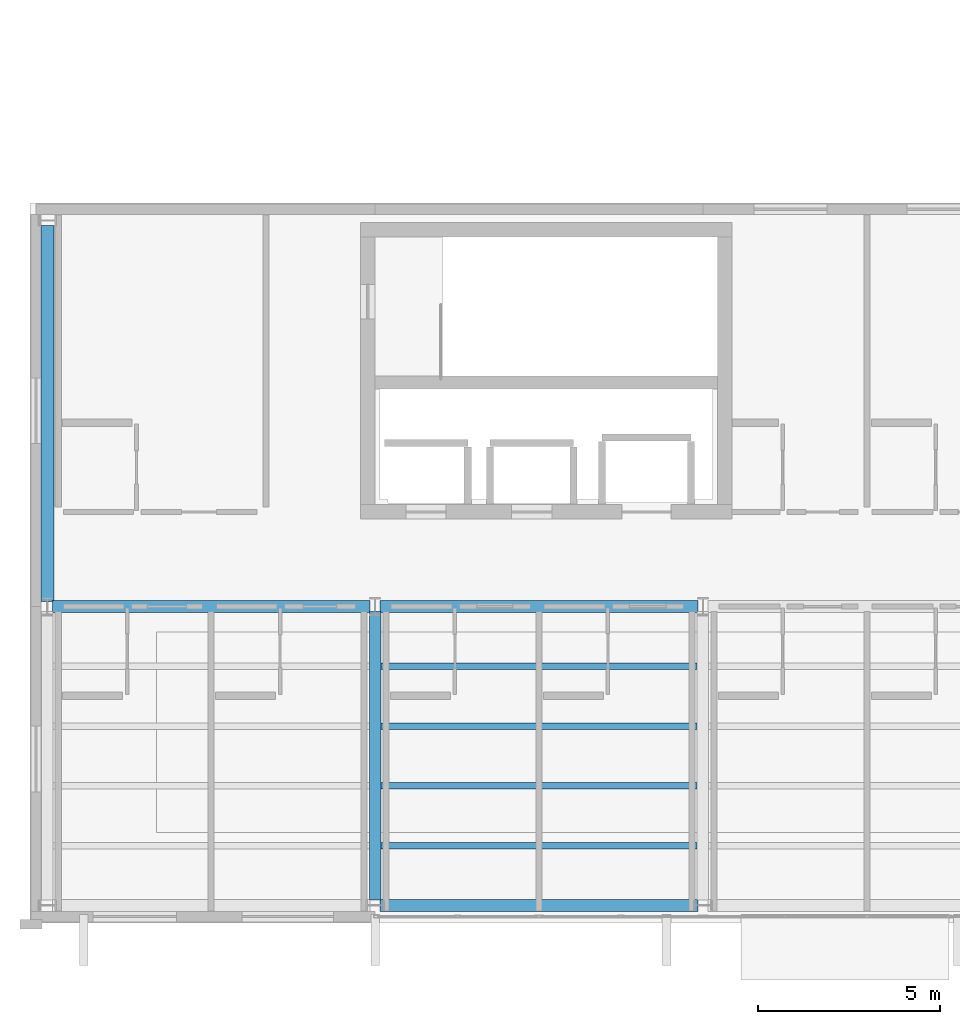
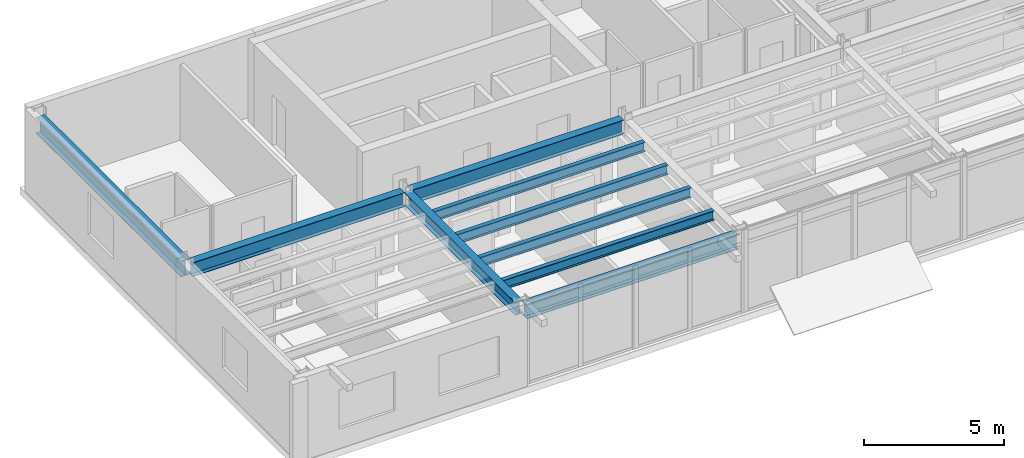
# One storey, part 5 of 19: 9 beams.
"""IFC4 building model written with IfcOpenShell, lengths in metres."""

import ifcopenshell
import ifcopenshell.guid

model = None  # the IFC model being written
_history = None  # IfcOwnerHistory: only IFC2X3 demands one
_inside = {}  # id of a spatial element -> (the spatial element, [elements in it])
_under = {}  # id of a project, library or spatial element -> (it, [spatial elements below it])
_declared = {}  # id of a project -> (the project, [libraries it declares])
_typed = {}  # id of a type object -> (the type object, [elements of that type])
_made_of = {}  # id of a material, layer set ... -> (it, [elements and type objects made of it])


def new_model(schema):
    """Start an empty IFC model of exactly this schema.

    Asked for "IFC4X3", IfcOpenShell would pick the latest addendum, in which some entities
    have other attributes; the version numbers below select the first issue.
    IFC2X3 requires an IfcOwnerHistory on every rooted entity: one is made here for all.
    """
    global model, _history
    if schema == "IFC4X3":
        model = ifcopenshell.file(schema_version=(4, 3, 0, 0))
    else:
        model = ifcopenshell.file(schema=schema)
    _inside.clear()
    _under.clear()
    _declared.clear()
    _typed.clear()
    _made_of.clear()
    _history = None
    if model.schema == "IFC2X3":
        org = make("IfcOrganization", Name="unknown")
        user = make(
            "IfcPersonAndOrganization",
            ThePerson=make("IfcPerson", FamilyName="unknown"),
            TheOrganization=org,
        )
        app = make(
            "IfcApplication",
            ApplicationDeveloper=org,
            Version="unknown",
            ApplicationFullName="unknown",
            ApplicationIdentifier="unknown",
        )
        _history = make(
            "IfcOwnerHistory",
            OwningUser=user,
            OwningApplication=app,
            ChangeAction="ADDED",
            CreationDate=0,
        )
    return model


def make(cls, **values):
    """One entity of the class cls with the attributes given. An attribute that is None is left unset."""
    return model.create_entity(
        cls, **{name: value for name, value in values.items() if value is not None}
    )


def rooted(cls, **values):
    """An entity with a GlobalId (a new one), such as an element, a storey or a relation."""
    return make(cls, GlobalId=ifcopenshell.guid.new(), OwnerHistory=_history, **values)


def si_unit(unit_type, name, prefix=None):
    """IfcSIUnit, for example si_unit("LENGTHUNIT", "METRE", prefix="MILLI")."""
    return make("IfcSIUnit", UnitType=unit_type, Prefix=prefix, Name=name)


def assignment(units):
    """IfcUnitAssignment: the units of a project."""
    return None if units is None else make("IfcUnitAssignment", Units=units)


def point(xyz):
    """IfcCartesianPoint."""
    return None if xyz is None else make("IfcCartesianPoint", Coordinates=xyz)


def direction(xyz):
    """IfcDirection."""
    return None if xyz is None else make("IfcDirection", DirectionRatios=xyz)


def frame(location, z_axis=None, x_axis=None):
    """IfcAxis2Placement3D, a coordinate frame: its origin and axes. An axis left out is left unset."""
    return make(
        "IfcAxis2Placement3D",
        Location=point(location),
        Axis=direction(z_axis),
        RefDirection=direction(x_axis),
    )


def frame_2d(location, x_axis=None):
    """IfcAxis2Placement2D, a coordinate frame in the plane: its origin and x axis."""
    return make(
        "IfcAxis2Placement2D", Location=point(location), RefDirection=direction(x_axis)
    )


def origin():
    """The frame at (0, 0, 0) with its axes left unset."""
    return frame((0.0, 0.0, 0.0))


def origin_2d():
    """The frame at (0, 0) in the plane with its x axis left unset."""
    return frame_2d((0.0, 0.0))


def place(relative_to, where):
    """IfcLocalPlacement: puts the frame where relative to a parent placement (None: the world)."""
    return make(
        "IfcLocalPlacement", PlacementRelTo=relative_to, RelativePlacement=where
    )


def context(
    kind, dimensions, precision=None, world=None, true_north=None, identifier=None
):
    """IfcGeometricRepresentationContext, for example the 3D "Model" context."""
    return make(
        "IfcGeometricRepresentationContext",
        ContextIdentifier=identifier,
        ContextType=kind,
        CoordinateSpaceDimension=dimensions,
        Precision=precision,
        WorldCoordinateSystem=world,
        TrueNorth=true_north,
    )


def subcontext(parent, identifier, kind, view, scale=None):
    """IfcGeometricRepresentationSubContext, for example "Body" below "Model"."""
    return make(
        "IfcGeometricRepresentationSubContext",
        ContextIdentifier=identifier,
        ContextType=kind,
        ParentContext=parent,
        TargetScale=scale,
        TargetView=view,
    )


def project(units=None, contexts=None):
    """IfcProject with its units and contexts."""
    return rooted(
        "IfcProject",
        Name="project",
        RepresentationContexts=contexts,
        UnitsInContext=assignment(units),
    )


def spatial(cls, under=None, at=None, **own):
    """A site, building, storey or space (cls), placed at a placement, below another one or the project."""
    s = rooted(cls, ObjectPlacement=at, **own)
    if under is not None:
        _under.setdefault(under.id(), (under, []))[1].append(s)
    return s


def profile(cls, at=None, kind="AREA", **sizes):
    """A parametric profile (cls). Its sizes go by their IFC names, for example OverallWidth=200.0."""
    return make(cls, ProfileType=kind, Position=at, **sizes)


def i_section(**sizes):
    """IfcIShapeProfileDef."""
    return profile("IfcIShapeProfileDef", **sizes)


def extrude(swept, where, along, depth):
    """IfcExtrudedAreaSolid: the profile swept, set in the frame where, extruded along a direction by depth."""
    return make(
        "IfcExtrudedAreaSolid",
        SweptArea=swept,
        Position=where,
        ExtrudedDirection=direction(along),
        Depth=depth,
    )


def shape(context_of_items, identifier, shape_type, items):
    """IfcShapeRepresentation: the items that make up one representation, for example the "Body"."""
    return make(
        "IfcShapeRepresentation",
        ContextOfItems=context_of_items,
        RepresentationIdentifier=identifier,
        RepresentationType=shape_type,
        Items=items,
    )


def material(Name=None, Category=None):
    """IfcMaterial."""
    return make("IfcMaterial", Name=Name, Category=Category)


def material_profile(
    of_material, cross_section, Name=None, Category=None, Priority=None
):
    """IfcMaterialProfile: a cross section and its material."""
    return make(
        "IfcMaterialProfile",
        Name=Name,
        Material=of_material,
        Profile=cross_section,
        Priority=Priority,
        Category=Category,
    )


def profile_set(profiles, Name=None, composite=None):
    """IfcMaterialProfileSet."""
    return make(
        "IfcMaterialProfileSet",
        Name=Name,
        MaterialProfiles=profiles,
        CompositeProfile=composite,
    )


def made_of(thing, what):
    """Note that an element or type object is made of a material, layer set ...; save() writes the relation."""
    if what is not None:
        _made_of.setdefault(what.id(), (what, []))[1].append(thing)
    return thing


def type_object(cls, material=None, **own):
    """A type object (cls), such as IfcWallType, which elements share."""
    return made_of(rooted(cls, **own), material)


def element(
    cls,
    number,
    at=None,
    inside=None,
    cuts=None,
    type_object=None,
    material=None,
    context=None,
    identifier="Body",
    shape_type=None,
    held_by="IfcProductDefinitionShape",
    body=None,
    shapes=None,
    **own,
):
    """One element of the class cls, such as IfcWall. Its Tag is "e" and its number.

    at: its placement. inside: the storey or other place that contains it. cuts: it is an
    opening in that element (IfcRelVoidsElement). A single representation is given by context,
    identifier, shape_type and body (its items); several are given by shapes. held_by: the class
    of the entity that holds the representations. save() writes the other relations.
    """
    e = rooted(cls, Tag="e%d" % number, ObjectPlacement=at, **own)
    if body is not None:
        shapes = [shape(context, identifier, shape_type, body)]
    if shapes is not None:
        e.Representation = make(held_by, Representations=shapes)
    if inside is not None:
        _inside.setdefault(inside.id(), (inside, []))[1].append(e)
    if cuts is not None:
        rooted(
            "IfcRelVoidsElement", RelatingBuildingElement=cuts, RelatedOpeningElement=e
        )
    if type_object is not None:
        _typed.setdefault(type_object.id(), (type_object, []))[1].append(e)
    return made_of(e, material)


def aggregate(whole, parts):
    """IfcRelAggregates: a whole, such as a stair, and the parts it consists of."""
    return rooted("IfcRelAggregates", RelatingObject=whole, RelatedObjects=parts)


def save(model, path):
    """Write the relations noted so far, then the file.

    IfcRelAggregates (storeys below a building ...), IfcRelContainedInSpatialStructure (elements
    in a storey), IfcRelDefinesByType, IfcRelAssociatesMaterial and IfcRelDeclares: one each for
    every whole, place, type object, material and project.
    """
    for whole, parts in _under.values():
        aggregate(whole, parts)
    for where, things in _inside.values():
        rooted(
            "IfcRelContainedInSpatialStructure",
            RelatedElements=things,
            RelatingStructure=where,
        )
    for kind, things in _typed.values():
        rooted("IfcRelDefinesByType", RelatedObjects=things, RelatingType=kind)
    for what, things in _made_of.values():
        rooted("IfcRelAssociatesMaterial", RelatedObjects=things, RelatingMaterial=what)
    for by, libraries in _declared.values():
        rooted("IfcRelDeclares", RelatingContext=by, RelatedDefinitions=libraries)
    model.write(path)


model = new_model("IFC4")

# Units and contexts
model_context = context("Model", 3, precision=1e-05, world=origin(), true_north=direction((0.0, 1.0)))
body_context = subcontext(model_context, "Body", "Model", "MODEL_VIEW")
ifc_project = project(units=[si_unit("LENGTHUNIT", "METRE"), si_unit("AREAUNIT", "SQUARE_METRE"), si_unit("VOLUMEUNIT", "CUBIC_METRE"), si_unit("PLANEANGLEUNIT", "RADIAN"), si_unit("MASSUNIT", "GRAM", prefix="KILO")], contexts=[model_context])

# Site, building, storey
site_placement = place(None, origin())
site = spatial("IfcSite", under=ifc_project, at=site_placement, CompositionType="ELEMENT")
building_placement = place(site_placement, origin())
building = spatial("IfcBuilding", under=site, at=building_placement, Name="Sollismere Congress Hotel", CompositionType="ELEMENT")
storey_placement = place(building_placement, frame((0.0, 0.0, 44.60009765625)))
storey = spatial("IfcBuildingStorey", under=building, at=storey_placement, Name="L11", CompositionType="ELEMENT", Elevation=44.60009765625)

# Beams
ifc_material = material(Name="Steel ASTM A992 Grade 50", Category="steel")
ifc_material_profile_1 = material_profile(ifc_material, i_section(OverallWidth=0.31494140625, OverallDepth=0.551025390625, WebThickness=0.01513671875, FlangeThickness=0.0244140625, at=origin_2d()), Name="W21X122")
ifc_profile_set_1 = profile_set([ifc_material_profile_1], Name="Steel ASTM A992 Grade 50")
beam_type_1 = type_object("IfcBeamType", Name="BM-G21H", PredefinedType="BEAM", material=ifc_profile_set_1)
beam_1_placement = place(storey_placement, frame((94.0, 0.139892578125, 3.04931640625), z_axis=(0.0, 1.0, 0.0), x_axis=(-1.0, 0.0, 0.0)))
element("IfcBeam", 1, at=beam_1_placement, inside=storey, type_object=beam_type_1, Name="Beam BM-L11-3764", PredefinedType="BEAM", context=body_context, shape_type="SweptSolid", body=[
    extrude(i_section(OverallWidth=0.31494140625, OverallDepth=0.551025390625, WebThickness=0.01513671875, FlangeThickness=0.0244140625, at=origin_2d()), origin(), (0.0, 0.0, 1.0), 7.920166015625),
])
ifc_material_profile_2 = material_profile(ifc_material, i_section(OverallWidth=0.324951171875, OverallDepth=0.612060546875, WebThickness=0.0126953125, FlangeThickness=0.01904296875, at=origin_2d()), Name="W24X104")
ifc_profile_set_2 = profile_set([ifc_material_profile_2], Name="Steel ASTM A992 Grade 50")
beam_type_2 = type_object("IfcBeamType", Name="BM-G24", PredefinedType="BEAM", material=ifc_profile_set_2)
for number, where, z_axis, x_axis, name in (
    (2, (85.139892578125, 8.199951171875, 3.018798828125), (1.0, 0.0, 0.0), (0.0, 1.0, 0.0), "Beam BM-L11-3748"),
    (3, (94.139892578125, 8.199951171875, 3.018798828125), (1.0, 0.0, 0.0), (0.0, 1.0, 0.0), "Beam BM-L11-3749"),
):
    element("IfcBeam", number, at=place(storey_placement, frame(where, z_axis=z_axis, x_axis=x_axis)), inside=storey, type_object=beam_type_2, Name=name, PredefinedType="BEAM", context=body_context, shape_type="SweptSolid", body=[
        extrude(i_section(OverallWidth=0.324951171875, OverallDepth=0.612060546875, WebThickness=0.0126953125, FlangeThickness=0.01904296875, at=origin_2d()), origin(), (0.0, 0.0, 1.0), 8.72021484375),
    ])
ifc_material_profile_3 = material_profile(ifc_material, i_section(OverallWidth=0.35595703125, OverallDepth=0.696044921875, WebThickness=0.015380859375, FlangeThickness=0.025146484375, at=origin_2d()), Name="W27X146")
ifc_profile_set_3 = profile_set([ifc_material_profile_3], Name="Steel ASTM A992 Grade 50")
beam_type_3 = type_object("IfcBeamType", Name="BM-G27", PredefinedType="BEAM", material=ifc_profile_set_3)
beam_2_placement = place(storey_placement, frame((85.0, 8.340087890625, 2.976806640625), z_axis=(0.0, 1.0, 0.0), x_axis=(-1.0, 0.0, 0.0)))
element("IfcBeam", 4, at=beam_2_placement, inside=storey, type_object=beam_type_3, Name="Beam BM-L11-3763", PredefinedType="BEAM", context=body_context, shape_type="SweptSolid", body=[
    extrude(i_section(OverallWidth=0.35595703125, OverallDepth=0.696044921875, WebThickness=0.015380859375, FlangeThickness=0.025146484375, at=origin_2d()), origin(), (0.0, 0.0, 1.0), 10.31982421875),
])
ifc_material_profile_4 = material_profile(ifc_material, i_section(OverallWidth=0.180908203125, OverallDepth=0.4169921875, WebThickness=0.010986328125, FlangeThickness=0.018310546875, at=origin_2d()), Name="W16X57")
ifc_profile_set_4 = profile_set([ifc_material_profile_4], Name="Steel ASTM A992 Grade 50")
beam_type_4 = type_object("IfcBeamType", Name="BM-J16", PredefinedType="JOIST", material=ifc_profile_set_4)
for number, where, z_axis, x_axis, name in (
    (5, (94.157470703125, 1.639892578125, 3.116455078125), (1.0, 0.0, 0.0), (0.0, 1.0, 0.0), "Beam BM-L11-3787"),
    (6, (94.157470703125, 3.280029296875, 3.116455078125), (1.0, 0.0, 0.0), (0.0, 1.0, 0.0), "Beam BM-L11-3788"),
    (7, (94.157470703125, 4.919921875, 3.116455078125), (1.0, 0.0, 0.0), (0.0, 1.0, 0.0), "Beam BM-L11-3789"),
    (8, (94.157470703125, 6.56005859375, 3.116455078125), (1.0, 0.0, 0.0), (0.0, 1.0, 0.0), "Beam BM-L11-3790"),
):
    element("IfcBeam", number, at=place(storey_placement, frame(where, z_axis=z_axis, x_axis=x_axis)), inside=storey, type_object=beam_type_4, Name=name, PredefinedType="JOIST", context=body_context, shape_type="SweptSolid", body=[
        extrude(i_section(OverallWidth=0.180908203125, OverallDepth=0.4169921875, WebThickness=0.010986328125, FlangeThickness=0.018310546875, at=origin_2d()), origin(), (0.0, 0.0, 1.0), 8.68505859375),
    ])
ifc_material_profile_5 = material_profile(ifc_material, i_section(OverallWidth=0.330078125, OverallDepth=0.635009765625, WebThickness=0.017822265625, FlangeThickness=0.031005859375, at=origin_2d()), Name="W24X162")
ifc_profile_set_5 = profile_set([ifc_material_profile_5], Name="Steel ASTM A992 Grade 50")
beam_type_5 = type_object("IfcBeamType", Name="BM-SP24E", PredefinedType="SPANDREL", material=ifc_profile_set_5)
beam_3_placement = place(storey_placement, frame((94.139892578125, 0.0, 3.00732421875), z_axis=(1.0, 0.0, 0.0), x_axis=(0.0, 1.0, 0.0)))
element("IfcBeam", 9, at=beam_3_placement, inside=storey, type_object=beam_type_5, Name="Beam BM-L11-3741", PredefinedType="SPANDREL", context=body_context, shape_type="SweptSolid", body=[
    extrude(i_section(OverallWidth=0.330078125, OverallDepth=0.635009765625, WebThickness=0.017822265625, FlangeThickness=0.031005859375, at=origin_2d()), origin(), (0.0, 0.0, 1.0), 8.72021484375),
])

save(model, "model.ifc")
